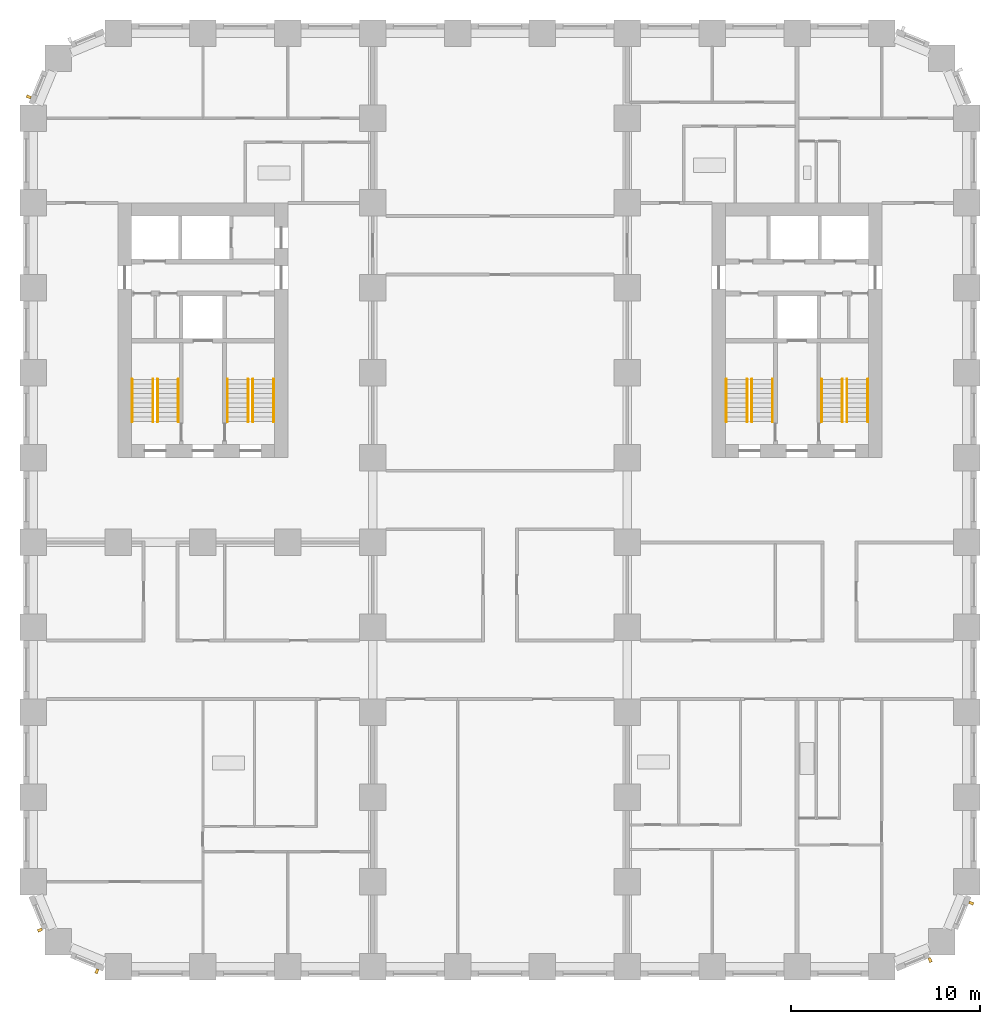
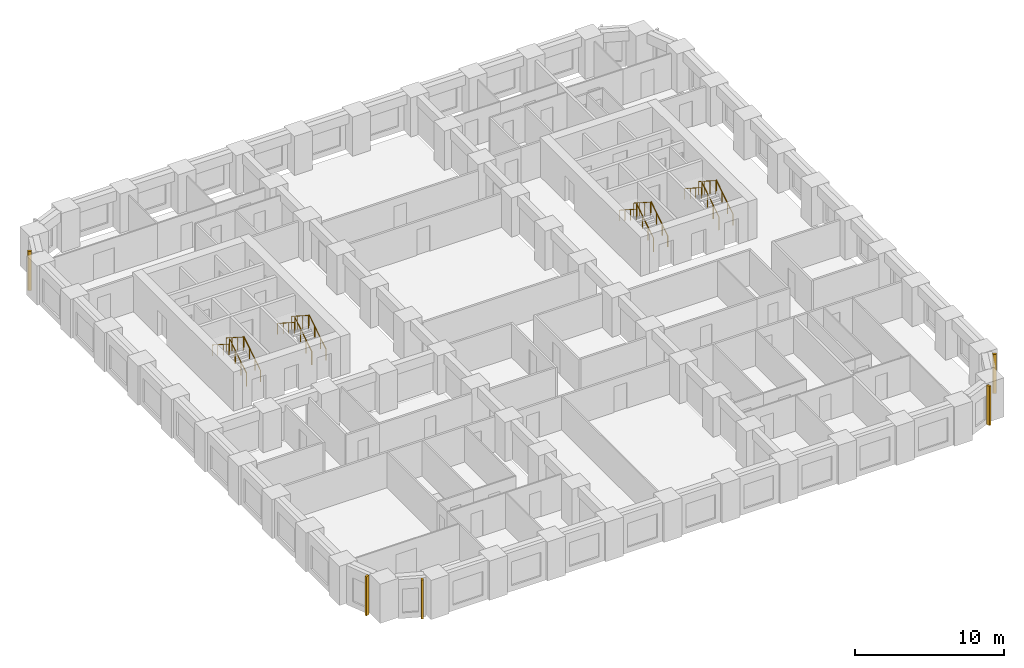
# One storey, part 10 of 12: 16 railings, 5 shading devices.
"""IFC4 building model written with IfcOpenShell, lengths in metres."""

from ifc_helpers import new_model, si_unit, direction, frame, origin, origin_2d, place, context, subcontext, project, spatial, rectangle, circle, extrude, material, type_object, element, save


model = new_model("IFC4")

# Units and contexts
model_context = context("Model", 3, precision=1e-05, world=origin(), true_north=direction((0.0, 1.0)))
body_context = subcontext(model_context, "Body", "Model", "MODEL_VIEW")
ifc_project = project(units=[si_unit("LENGTHUNIT", "METRE"), si_unit("AREAUNIT", "SQUARE_METRE"), si_unit("VOLUMEUNIT", "CUBIC_METRE"), si_unit("PLANEANGLEUNIT", "RADIAN"), si_unit("MASSUNIT", "GRAM", prefix="KILO")], contexts=[model_context])

# Site, building, storey
site_placement = place(None, origin())
site = spatial("IfcSite", under=ifc_project, at=site_placement, CompositionType="ELEMENT")
building_placement = place(site_placement, origin())
building = spatial("IfcBuilding", under=site, at=building_placement, Name="Girih Gate Residences", CompositionType="ELEMENT")
storey_placement = place(building_placement, frame((0.0, 0.0, 68.800048828125)))
storey = spatial("IfcBuildingStorey", under=building, at=storey_placement, Name="L18", CompositionType="ELEMENT", Elevation=68.800048828125)

# Shading devices
ifc_material_1 = material(Name="Precast concrete C50/60", Category="concrete")
shading_device_type = type_object("IfcShadingDeviceType", Name="Corner rib 150x250", PredefinedType="USERDEFINED", material=ifc_material_1)
for number, where, z_axis, x_axis, name in (
    (1, (0.35498046875, 1.9443359375, 0.0), (0.0, 0.0, 1.0), (0.382683432365, -0.923879532511, 0.0), "Corner rib SW0000_0045.0"),
    (2, (3.376220703125, -0.238037109375, 0.0), (0.0, 0.0, 1.0), (0.923879532511, -0.382683432365, 0.0), "Corner rib SW0013_0013.0"),
    (3, (47.5556640625, 0.35498046875, 0.0), (0.0, 0.0, 1.0), (0.923879532511, 0.382683432365, 0.0), "Corner rib SE0450_0000.0"),
    (4, (49.738037109375, 3.376220703125, 0.0), (0.0, 0.0, 1.0), (0.382683432365, 0.923879532511, 0.0), "Corner rib SE0482_0013.0"),
    (5, (-0.238037109375, 46.123779296875, 0.0), (0.0, 0.0, 1.0), (-0.382683432365, -0.923879532511, 0.0), "Corner rib NW0013_0482.0"),
):
    element("IfcShadingDevice", number, at=place(storey_placement, frame(where, z_axis=z_axis, x_axis=x_axis)), inside=storey, type_object=shading_device_type, Name=name, ObjectType="FIN", PredefinedType="USERDEFINED", context=body_context, shape_type="SweptSolid", body=[
        extrude(rectangle(XDim=0.14990234375, YDim=0.25, at=origin_2d()), origin(), (0.0, 0.0, 1.0), 3.199951171875),
    ])

# Railings
ifc_material_2 = material(Name="Stainless steel", Category="steel")
railing_type_1 = type_object("IfcRailingType", Name="Stair guard 1100", PredefinedType="GUARDRAIL", material=ifc_material_2)
railing_1_placement = place(storey_placement, frame((6.60009765625, 28.89990234375, 0.159912109375)))
element("IfcRailing", 6, at=railing_1_placement, inside=storey, type_object=railing_type_1, Name="L18 ST-W1 stair guard 1", PredefinedType="GUARDRAIL", context=body_context, shape_type="SweptSolid", body=[
    extrude(circle(Radius=0.02392578125, at=origin_2d()), frame((0.0, 0.0, 1.076171875), z_axis=(0.0, 0.842281359387, 0.539038135598), x_axis=(-1.0, 0.0, 0.0)), (0.0, 0.0, 1.0), 2.67138671875),
    extrude(circle(Radius=0.02099609375, at=origin_2d()), origin(), (0.0, 0.0, 1.0), 1.052001953125),
    extrude(circle(Radius=0.02099609375, at=origin_2d()), frame((0.0, 0.75, 0.47998046875)), (0.0, 0.0, 1.0), 1.052001953125),
    extrude(circle(Radius=0.02099609375, at=origin_2d()), frame((0.0, 1.5, 0.9599609375)), (0.0, 0.0, 1.0), 1.052001953125),
    extrude(circle(Radius=0.02099609375, at=origin_2d()), frame((0.0, 2.25, 1.43994140625)), (0.0, 0.0, 1.0), 1.052001953125),
])
railing_2_placement = place(storey_placement, frame((6.35009765625, 31.14990234375, 1.760009765625)))
element("IfcRailing", 7, at=railing_2_placement, inside=storey, type_object=railing_type_1, Name="L18 ST-W1 stair guard 2", PredefinedType="GUARDRAIL", context=body_context, shape_type="SweptSolid", body=[
    extrude(circle(Radius=0.02392578125, at=origin_2d()), frame((0.0, 0.0, 1.076171875), z_axis=(0.0, -0.842281359387, 0.539038135598), x_axis=(1.0, 0.0, 0.0)), (0.0, 0.0, 1.0), 2.67138671875),
    extrude(circle(Radius=0.02099609375, at=origin_2d()), origin(), (0.0, 0.0, 1.0), 1.052001953125),
    extrude(circle(Radius=0.02099609375, at=origin_2d()), frame((0.0, -0.75, 0.47998046875)), (0.0, 0.0, 1.0), 1.052001953125),
    extrude(circle(Radius=0.02099609375, at=origin_2d()), frame((0.0, -1.5, 0.9599609375)), (0.0, 0.0, 1.0), 1.052001953125),
    extrude(circle(Radius=0.02099609375, at=origin_2d()), frame((0.0, -2.25, 1.43994140625)), (0.0, 0.0, 1.0), 1.052001953125),
])
railing_3_placement = place(storey_placement, frame((11.64990234375, 28.89990234375, 0.159912109375)))
element("IfcRailing", 8, at=railing_3_placement, inside=storey, type_object=railing_type_1, Name="L18 ST-W2 stair guard 1", PredefinedType="GUARDRAIL", context=body_context, shape_type="SweptSolid", body=[
    extrude(circle(Radius=0.02392578125, at=origin_2d()), frame((0.0, 0.0, 1.076171875), z_axis=(0.0, 0.842281359387, 0.539038135598), x_axis=(-1.0, 0.0, 0.0)), (0.0, 0.0, 1.0), 2.67138671875),
    extrude(circle(Radius=0.02099609375, at=origin_2d()), origin(), (0.0, 0.0, 1.0), 1.052001953125),
    extrude(circle(Radius=0.02099609375, at=origin_2d()), frame((0.0, 0.75, 0.47998046875)), (0.0, 0.0, 1.0), 1.052001953125),
    extrude(circle(Radius=0.02099609375, at=origin_2d()), frame((0.0, 1.5, 0.9599609375)), (0.0, 0.0, 1.0), 1.052001953125),
    extrude(circle(Radius=0.02099609375, at=origin_2d()), frame((0.0, 2.25, 1.43994140625)), (0.0, 0.0, 1.0), 1.052001953125),
])
railing_4_placement = place(storey_placement, frame((11.39990234375, 31.14990234375, 1.760009765625)))
element("IfcRailing", 9, at=railing_4_placement, inside=storey, type_object=railing_type_1, Name="L18 ST-W2 stair guard 2", PredefinedType="GUARDRAIL", context=body_context, shape_type="SweptSolid", body=[
    extrude(circle(Radius=0.02392578125, at=origin_2d()), frame((0.0, 0.0, 1.076171875), z_axis=(0.0, -0.842281359387, 0.539038135598), x_axis=(1.0, 0.0, 0.0)), (0.0, 0.0, 1.0), 2.67138671875),
    extrude(circle(Radius=0.02099609375, at=origin_2d()), origin(), (0.0, 0.0, 1.0), 1.052001953125),
    extrude(circle(Radius=0.02099609375, at=origin_2d()), frame((0.0, -0.75, 0.47998046875)), (0.0, 0.0, 1.0), 1.052001953125),
    extrude(circle(Radius=0.02099609375, at=origin_2d()), frame((0.0, -1.5, 0.9599609375)), (0.0, 0.0, 1.0), 1.052001953125),
    extrude(circle(Radius=0.02099609375, at=origin_2d()), frame((0.0, -2.25, 1.43994140625)), (0.0, 0.0, 1.0), 1.052001953125),
])
railing_5_placement = place(storey_placement, frame((43.14990234375, 28.89990234375, 0.159912109375)))
element("IfcRailing", 10, at=railing_5_placement, inside=storey, type_object=railing_type_1, Name="L18 ST-E1 stair guard 1", PredefinedType="GUARDRAIL", context=body_context, shape_type="SweptSolid", body=[
    extrude(circle(Radius=0.02392578125, at=origin_2d()), frame((0.0, 0.0, 1.076171875), z_axis=(0.0, 0.842281359387, 0.539038135598), x_axis=(-1.0, 0.0, 0.0)), (0.0, 0.0, 1.0), 2.67138671875),
    extrude(circle(Radius=0.02099609375, at=origin_2d()), origin(), (0.0, 0.0, 1.0), 1.052001953125),
    extrude(circle(Radius=0.02099609375, at=origin_2d()), frame((0.0, 0.75, 0.47998046875)), (0.0, 0.0, 1.0), 1.052001953125),
    extrude(circle(Radius=0.02099609375, at=origin_2d()), frame((0.0, 1.5, 0.9599609375)), (0.0, 0.0, 1.0), 1.052001953125),
    extrude(circle(Radius=0.02099609375, at=origin_2d()), frame((0.0, 2.25, 1.43994140625)), (0.0, 0.0, 1.0), 1.052001953125),
])
railing_6_placement = place(storey_placement, frame((42.89990234375, 31.14990234375, 1.760009765625)))
element("IfcRailing", 11, at=railing_6_placement, inside=storey, type_object=railing_type_1, Name="L18 ST-E1 stair guard 2", PredefinedType="GUARDRAIL", context=body_context, shape_type="SweptSolid", body=[
    extrude(circle(Radius=0.02392578125, at=origin_2d()), frame((0.0, 0.0, 1.076171875), z_axis=(0.0, -0.842281359387, 0.539038135598), x_axis=(1.0, 0.0, 0.0)), (0.0, 0.0, 1.0), 2.67138671875),
    extrude(circle(Radius=0.02099609375, at=origin_2d()), origin(), (0.0, 0.0, 1.0), 1.052001953125),
    extrude(circle(Radius=0.02099609375, at=origin_2d()), frame((0.0, -0.75, 0.47998046875)), (0.0, 0.0, 1.0), 1.052001953125),
    extrude(circle(Radius=0.02099609375, at=origin_2d()), frame((0.0, -1.5, 0.9599609375)), (0.0, 0.0, 1.0), 1.052001953125),
    extrude(circle(Radius=0.02099609375, at=origin_2d()), frame((0.0, -2.25, 1.43994140625)), (0.0, 0.0, 1.0), 1.052001953125),
])
railing_7_placement = place(storey_placement, frame((38.10009765625, 28.89990234375, 0.159912109375)))
element("IfcRailing", 12, at=railing_7_placement, inside=storey, type_object=railing_type_1, Name="L18 ST-E2 stair guard 1", PredefinedType="GUARDRAIL", context=body_context, shape_type="SweptSolid", body=[
    extrude(circle(Radius=0.02392578125, at=origin_2d()), frame((0.0, 0.0, 1.076171875), z_axis=(0.0, 0.842281359387, 0.539038135598), x_axis=(-1.0, 0.0, 0.0)), (0.0, 0.0, 1.0), 2.67138671875),
    extrude(circle(Radius=0.02099609375, at=origin_2d()), origin(), (0.0, 0.0, 1.0), 1.052001953125),
    extrude(circle(Radius=0.02099609375, at=origin_2d()), frame((0.0, 0.75, 0.47998046875)), (0.0, 0.0, 1.0), 1.052001953125),
    extrude(circle(Radius=0.02099609375, at=origin_2d()), frame((0.0, 1.5, 0.9599609375)), (0.0, 0.0, 1.0), 1.052001953125),
    extrude(circle(Radius=0.02099609375, at=origin_2d()), frame((0.0, 2.25, 1.43994140625)), (0.0, 0.0, 1.0), 1.052001953125),
])
railing_8_placement = place(storey_placement, frame((37.85009765625, 31.14990234375, 1.760009765625)))
element("IfcRailing", 13, at=railing_8_placement, inside=storey, type_object=railing_type_1, Name="L18 ST-E2 stair guard 2", PredefinedType="GUARDRAIL", context=body_context, shape_type="SweptSolid", body=[
    extrude(circle(Radius=0.02392578125, at=origin_2d()), frame((0.0, 0.0, 1.076171875), z_axis=(0.0, -0.842281359387, 0.539038135598), x_axis=(1.0, 0.0, 0.0)), (0.0, 0.0, 1.0), 2.67138671875),
    extrude(circle(Radius=0.02099609375, at=origin_2d()), origin(), (0.0, 0.0, 1.0), 1.052001953125),
    extrude(circle(Radius=0.02099609375, at=origin_2d()), frame((0.0, -0.75, 0.47998046875)), (0.0, 0.0, 1.0), 1.052001953125),
    extrude(circle(Radius=0.02099609375, at=origin_2d()), frame((0.0, -1.5, 0.9599609375)), (0.0, 0.0, 1.0), 1.052001953125),
    extrude(circle(Radius=0.02099609375, at=origin_2d()), frame((0.0, -2.25, 1.43994140625)), (0.0, 0.0, 1.0), 1.052001953125),
])
railing_type_2 = type_object("IfcRailingType", Name="Stair handrail 900", PredefinedType="HANDRAIL", material=ifc_material_2)
railing_9_placement = place(storey_placement, frame((7.699951171875, 28.89990234375, 0.159912109375)))
element("IfcRailing", 14, at=railing_9_placement, inside=storey, type_object=railing_type_2, Name="L18 ST-W1 stair handrail 1", PredefinedType="HANDRAIL", context=body_context, shape_type="SweptSolid", body=[
    extrude(circle(Radius=0.02392578125, at=origin_2d()), frame((0.0, 0.0, 0.8857421875), z_axis=(0.0, 0.842281359387, 0.539038135598), x_axis=(-1.0, 0.0, 0.0)), (0.0, 0.0, 1.0), 2.67138671875),
    extrude(circle(Radius=0.02099609375, at=origin_2d()), origin(), (0.0, 0.0, 1.0), 0.86181640625),
    extrude(circle(Radius=0.02099609375, at=origin_2d()), frame((0.0, 0.75, 0.47998046875)), (0.0, 0.0, 1.0), 0.86181640625),
    extrude(circle(Radius=0.02099609375, at=origin_2d()), frame((0.0, 1.5, 0.9599609375)), (0.0, 0.0, 1.0), 0.86181640625),
    extrude(circle(Radius=0.02099609375, at=origin_2d()), frame((0.0, 2.25, 1.43994140625)), (0.0, 0.0, 1.0), 0.86181640625),
])
railing_10_placement = place(storey_placement, frame((5.25, 31.14990234375, 1.760009765625)))
element("IfcRailing", 15, at=railing_10_placement, inside=storey, type_object=railing_type_2, Name="L18 ST-W1 stair handrail 2", PredefinedType="HANDRAIL", context=body_context, shape_type="SweptSolid", body=[
    extrude(circle(Radius=0.02392578125, at=origin_2d()), frame((0.0, 0.0, 0.8857421875), z_axis=(0.0, -0.842281359387, 0.539038135598), x_axis=(1.0, 0.0, 0.0)), (0.0, 0.0, 1.0), 2.67138671875),
    extrude(circle(Radius=0.02099609375, at=origin_2d()), origin(), (0.0, 0.0, 1.0), 0.86181640625),
    extrude(circle(Radius=0.02099609375, at=origin_2d()), frame((0.0, -0.75, 0.47998046875)), (0.0, 0.0, 1.0), 0.86181640625),
    extrude(circle(Radius=0.02099609375, at=origin_2d()), frame((0.0, -1.5, 0.9599609375)), (0.0, 0.0, 1.0), 0.86181640625),
    extrude(circle(Radius=0.02099609375, at=origin_2d()), frame((0.0, -2.25, 1.43994140625)), (0.0, 0.0, 1.0), 0.86181640625),
])
railing_11_placement = place(storey_placement, frame((12.75, 28.89990234375, 0.159912109375)))
element("IfcRailing", 16, at=railing_11_placement, inside=storey, type_object=railing_type_2, Name="L18 ST-W2 stair handrail 1", PredefinedType="HANDRAIL", context=body_context, shape_type="SweptSolid", body=[
    extrude(circle(Radius=0.02392578125, at=origin_2d()), frame((0.0, 0.0, 0.8857421875), z_axis=(0.0, 0.842281359387, 0.539038135598), x_axis=(-1.0, 0.0, 0.0)), (0.0, 0.0, 1.0), 2.67138671875),
    extrude(circle(Radius=0.02099609375, at=origin_2d()), origin(), (0.0, 0.0, 1.0), 0.86181640625),
    extrude(circle(Radius=0.02099609375, at=origin_2d()), frame((0.0, 0.75, 0.47998046875)), (0.0, 0.0, 1.0), 0.86181640625),
    extrude(circle(Radius=0.02099609375, at=origin_2d()), frame((0.0, 1.5, 0.9599609375)), (0.0, 0.0, 1.0), 0.86181640625),
    extrude(circle(Radius=0.02099609375, at=origin_2d()), frame((0.0, 2.25, 1.43994140625)), (0.0, 0.0, 1.0), 0.86181640625),
])
railing_12_placement = place(storey_placement, frame((10.300048828125, 31.14990234375, 1.760009765625)))
element("IfcRailing", 17, at=railing_12_placement, inside=storey, type_object=railing_type_2, Name="L18 ST-W2 stair handrail 2", PredefinedType="HANDRAIL", context=body_context, shape_type="SweptSolid", body=[
    extrude(circle(Radius=0.02392578125, at=origin_2d()), frame((0.0, 0.0, 0.8857421875), z_axis=(0.0, -0.842281359387, 0.539038135598), x_axis=(1.0, 0.0, 0.0)), (0.0, 0.0, 1.0), 2.67138671875),
    extrude(circle(Radius=0.02099609375, at=origin_2d()), origin(), (0.0, 0.0, 1.0), 0.86181640625),
    extrude(circle(Radius=0.02099609375, at=origin_2d()), frame((0.0, -0.75, 0.47998046875)), (0.0, 0.0, 1.0), 0.86181640625),
    extrude(circle(Radius=0.02099609375, at=origin_2d()), frame((0.0, -1.5, 0.9599609375)), (0.0, 0.0, 1.0), 0.86181640625),
    extrude(circle(Radius=0.02099609375, at=origin_2d()), frame((0.0, -2.25, 1.43994140625)), (0.0, 0.0, 1.0), 0.86181640625),
])
railing_13_placement = place(storey_placement, frame((44.25, 28.89990234375, 0.159912109375)))
element("IfcRailing", 18, at=railing_13_placement, inside=storey, type_object=railing_type_2, Name="L18 ST-E1 stair handrail 1", PredefinedType="HANDRAIL", context=body_context, shape_type="SweptSolid", body=[
    extrude(circle(Radius=0.02392578125, at=origin_2d()), frame((0.0, 0.0, 0.8857421875), z_axis=(0.0, 0.842281359387, 0.539038135598), x_axis=(-1.0, 0.0, 0.0)), (0.0, 0.0, 1.0), 2.67138671875),
    extrude(circle(Radius=0.02099609375, at=origin_2d()), origin(), (0.0, 0.0, 1.0), 0.86181640625),
    extrude(circle(Radius=0.02099609375, at=origin_2d()), frame((0.0, 0.75, 0.47998046875)), (0.0, 0.0, 1.0), 0.86181640625),
    extrude(circle(Radius=0.02099609375, at=origin_2d()), frame((0.0, 1.5, 0.9599609375)), (0.0, 0.0, 1.0), 0.86181640625),
    extrude(circle(Radius=0.02099609375, at=origin_2d()), frame((0.0, 2.25, 1.43994140625)), (0.0, 0.0, 1.0), 0.86181640625),
])
railing_14_placement = place(storey_placement, frame((41.800048828125, 31.14990234375, 1.760009765625)))
element("IfcRailing", 19, at=railing_14_placement, inside=storey, type_object=railing_type_2, Name="L18 ST-E1 stair handrail 2", PredefinedType="HANDRAIL", context=body_context, shape_type="SweptSolid", body=[
    extrude(circle(Radius=0.02392578125, at=origin_2d()), frame((0.0, 0.0, 0.8857421875), z_axis=(0.0, -0.842281359387, 0.539038135598), x_axis=(1.0, 0.0, 0.0)), (0.0, 0.0, 1.0), 2.67138671875),
    extrude(circle(Radius=0.02099609375, at=origin_2d()), origin(), (0.0, 0.0, 1.0), 0.86181640625),
    extrude(circle(Radius=0.02099609375, at=origin_2d()), frame((0.0, -0.75, 0.47998046875)), (0.0, 0.0, 1.0), 0.86181640625),
    extrude(circle(Radius=0.02099609375, at=origin_2d()), frame((0.0, -1.5, 0.9599609375)), (0.0, 0.0, 1.0), 0.86181640625),
    extrude(circle(Radius=0.02099609375, at=origin_2d()), frame((0.0, -2.25, 1.43994140625)), (0.0, 0.0, 1.0), 0.86181640625),
])
railing_15_placement = place(storey_placement, frame((39.199951171875, 28.89990234375, 0.159912109375)))
element("IfcRailing", 20, at=railing_15_placement, inside=storey, type_object=railing_type_2, Name="L18 ST-E2 stair handrail 1", PredefinedType="HANDRAIL", context=body_context, shape_type="SweptSolid", body=[
    extrude(circle(Radius=0.02392578125, at=origin_2d()), frame((0.0, 0.0, 0.8857421875), z_axis=(0.0, 0.842281359387, 0.539038135598), x_axis=(-1.0, 0.0, 0.0)), (0.0, 0.0, 1.0), 2.67138671875),
    extrude(circle(Radius=0.02099609375, at=origin_2d()), origin(), (0.0, 0.0, 1.0), 0.86181640625),
    extrude(circle(Radius=0.02099609375, at=origin_2d()), frame((0.0, 0.75, 0.47998046875)), (0.0, 0.0, 1.0), 0.86181640625),
    extrude(circle(Radius=0.02099609375, at=origin_2d()), frame((0.0, 1.5, 0.9599609375)), (0.0, 0.0, 1.0), 0.86181640625),
    extrude(circle(Radius=0.02099609375, at=origin_2d()), frame((0.0, 2.25, 1.43994140625)), (0.0, 0.0, 1.0), 0.86181640625),
])
railing_16_placement = place(storey_placement, frame((36.75, 31.14990234375, 1.760009765625)))
element("IfcRailing", 21, at=railing_16_placement, inside=storey, type_object=railing_type_2, Name="L18 ST-E2 stair handrail 2", PredefinedType="HANDRAIL", context=body_context, shape_type="SweptSolid", body=[
    extrude(circle(Radius=0.02392578125, at=origin_2d()), frame((0.0, 0.0, 0.8857421875), z_axis=(0.0, -0.842281359387, 0.539038135598), x_axis=(1.0, 0.0, 0.0)), (0.0, 0.0, 1.0), 2.67138671875),
    extrude(circle(Radius=0.02099609375, at=origin_2d()), origin(), (0.0, 0.0, 1.0), 0.86181640625),
    extrude(circle(Radius=0.02099609375, at=origin_2d()), frame((0.0, -0.75, 0.47998046875)), (0.0, 0.0, 1.0), 0.86181640625),
    extrude(circle(Radius=0.02099609375, at=origin_2d()), frame((0.0, -1.5, 0.9599609375)), (0.0, 0.0, 1.0), 0.86181640625),
    extrude(circle(Radius=0.02099609375, at=origin_2d()), frame((0.0, -2.25, 1.43994140625)), (0.0, 0.0, 1.0), 0.86181640625),
])

save(model, "model.ifc")
